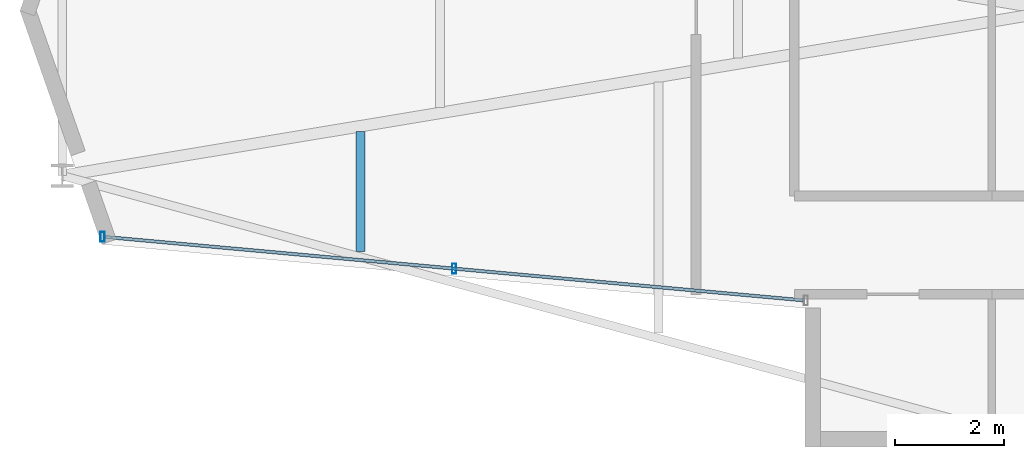
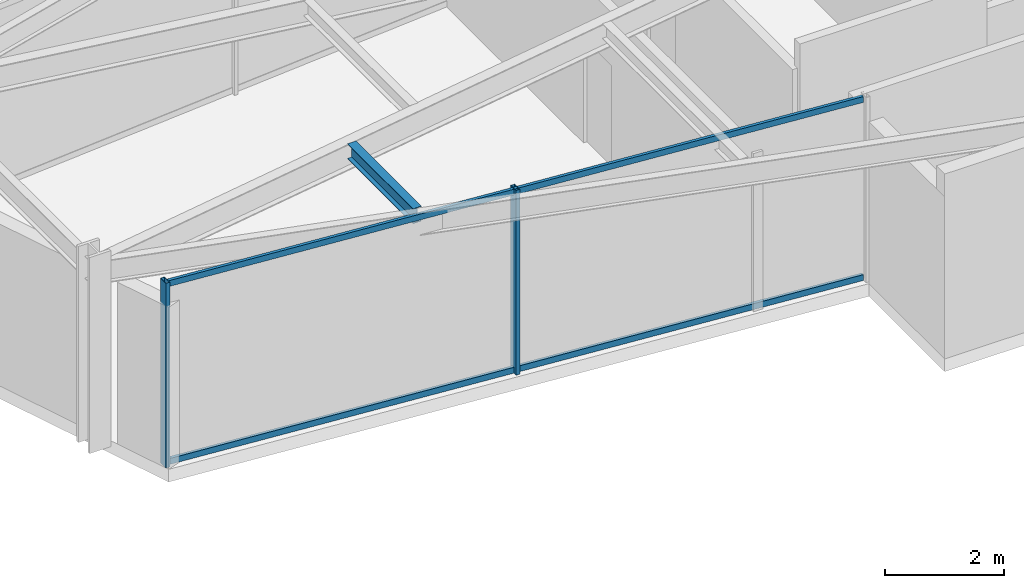
# One storey, part 2 of 23: 4 members, 1 beam, 1 element without a shape of its own.
"""IFC4 building model written with IfcOpenShell, lengths in metres."""

from ifc_helpers import new_model, si_unit, direction, frame, origin, origin_2d, place, context, subcontext, project, spatial, hollow_rectangle, i_section, extrude, material, layer, layer_set, material_profile, profile_set, type_object, element, aggregate, save


model = new_model("IFC4")

# Units and contexts
model_context = context("Model", 3, precision=1e-05, world=origin(), true_north=direction((0.0, 1.0)))
body_context = subcontext(model_context, "Body", "Model", "MODEL_VIEW")
ifc_project = project(units=[si_unit("LENGTHUNIT", "METRE"), si_unit("AREAUNIT", "SQUARE_METRE"), si_unit("VOLUMEUNIT", "CUBIC_METRE"), si_unit("PLANEANGLEUNIT", "RADIAN"), si_unit("MASSUNIT", "GRAM", prefix="KILO")], contexts=[model_context])

# Site, building, storey
site_placement = place(None, origin())
site = spatial("IfcSite", under=ifc_project, at=site_placement, CompositionType="ELEMENT")
building_placement = place(site_placement, origin())
building = spatial("IfcBuilding", under=site, at=building_placement, Name="Veymaron Broadcast Tower", CompositionType="ELEMENT")
storey_placement = place(building_placement, frame((0.0, 0.0, 191.85009765625)))
storey = spatial("IfcBuildingStorey", under=building, at=storey_placement, Name="L44", CompositionType="ELEMENT", Elevation=191.85009765625)

# Beam
ifc_material_1 = material(Name="Structural steel ASTM A992 Gr 50", Category="steel")
ifc_material_profile_1 = material_profile(ifc_material_1, i_section(OverallWidth=0.1650390625, OverallDepth=0.31005859375, WebThickness=0.005859375, FlangeThickness=0.009765625, at=origin_2d()), Name="W310X39")
ifc_profile_set_1 = profile_set([ifc_material_profile_1], Name="Structural steel ASTM A992 Gr 50")
beam_type = type_object("IfcBeamType", Name="BM-JS3", PredefinedType="JOIST", material=ifc_profile_set_1)
beam_placement = place(storey_placement, frame((18.4423828125, 19.58251953125, 3.635009765625), z_axis=(0.0, 1.0, 0.0), x_axis=(-1.0, 0.0, 0.0)))
element("IfcBeam", 1, at=beam_placement, inside=storey, type_object=beam_type, Name="L44 Arm-A secondary joist 1S", PredefinedType="JOIST", context=body_context, shape_type="SweptSolid", body=[
    extrude(i_section(OverallWidth=0.1650390625, OverallDepth=0.31005859375, WebThickness=0.005859375, FlangeThickness=0.009765625, at=origin_2d()), origin(), (0.0, 0.0, 1.0), 2.199951171875),
])

# Curtain wall, members
ifc_material_2 = material(Name="Anodised aluminium AA 6063-T6 and laminated low-E dark glass", Category="aluminium")
ifc_layer = layer(ifc_material_2, 0.179931640625)
ifc_layer_set = layer_set([ifc_layer], Name="Anodised aluminium AA 6063-T6 and laminated low-E dark glass")
curtain_wall_type = type_object("IfcCurtainWallType", Name="CW-SYS-05", PredefinedType="NOTDEFINED", material=ifc_layer_set)
curtain_wall_placement = place(storey_placement, origin())
curtain_wall = element("IfcCurtainWall", 2, at=curtain_wall_placement, inside=storey, type_object=curtain_wall_type, Name="L44 dark-glass curtain wall CW-L44-E14-1", PredefinedType="NOTDEFINED")
ifc_material_3 = material(Name="Anodised aluminium AA 6063-T6", Category="aluminium")
ifc_material_profile_2 = material_profile(ifc_material_3, hollow_rectangle(XDim=0.074951171875, YDim=0.179931640625, WallThickness=0.0048828125, at=origin_2d()), Name="AL180X75X5")
ifc_profile_set_2 = profile_set([ifc_material_profile_2], Name="Anodised aluminium AA 6063-T6")
member_type_1 = type_object("IfcMemberType", Name="CW-MUL-02", PredefinedType="MULLION", material=ifc_profile_set_2)
member_1_placement = place(storey_placement, frame((13.712646484375, 19.85595703125, 0.0), z_axis=(0.0, 0.0, 1.0), x_axis=(1.0, 0.0, 0.0)))
member_1 = element("IfcMember", 3, at=member_1_placement, type_object=member_type_1, Name="CW-L44-E14-1 mullion 0", PredefinedType="MULLION", context=body_context, shape_type="SweptSolid", body=[
    extrude(hollow_rectangle(XDim=0.074951171875, YDim=0.179931640625, WallThickness=0.0048828125, at=origin_2d()), origin(), (0.0, 0.0, 1.0), 3.789794921875),
])
member_2_placement = place(storey_placement, frame((20.16259765625, 19.270263671875, 0.0), z_axis=(0.0, 0.0, 1.0), x_axis=(1.0, 0.0, 0.0)))
member_2 = element("IfcMember", 4, at=member_2_placement, type_object=member_type_1, Name="CW-L44-E14-1 mullion 1", PredefinedType="MULLION", context=body_context, shape_type="SweptSolid", body=[
    extrude(hollow_rectangle(XDim=0.074951171875, YDim=0.179931640625, WallThickness=0.0048828125, at=origin_2d()), origin(), (0.0, 0.0, 1.0), 3.789794921875),
])
ifc_material_profile_3 = material_profile(ifc_material_3, hollow_rectangle(XDim=0.06005859375, YDim=0.1201171875, WallThickness=0.00390625, at=origin_2d()), Name="AL120X60X4")
ifc_profile_set_3 = profile_set([ifc_material_profile_3], Name="Anodised aluminium AA 6063-T6")
member_type_2 = type_object("IfcMemberType", Name="CW-TRN-02", PredefinedType="USERDEFINED", material=ifc_profile_set_3)
member_3_placement = place(storey_placement, frame((13.762451171875, 19.851318359375, 0.06982421875), z_axis=(0.995904253261, -0.090414148987, 0.0), x_axis=(0.090414148987, 0.995904253261, 0.0)))
member_3 = element("IfcMember", 5, at=member_3_placement, type_object=member_type_2, Name="CW-L44-E14-1 transom B", ObjectType="TRANSOM", PredefinedType="USERDEFINED", context=body_context, shape_type="SweptSolid", body=[
    extrude(hollow_rectangle(XDim=0.06005859375, YDim=0.1201171875, WallThickness=0.00390625, at=origin_2d()), origin(), (0.0, 0.0, 1.0), 12.853271484375),
])
member_4_placement = place(storey_placement, frame((13.762451171875, 19.851318359375, 3.719970703125), z_axis=(0.995904253261, -0.090414148987, 0.0), x_axis=(0.090414148987, 0.995904253261, 0.0)))
member_4 = element("IfcMember", 6, at=member_4_placement, type_object=member_type_2, Name="CW-L44-E14-1 transom T", ObjectType="TRANSOM", PredefinedType="USERDEFINED", context=body_context, shape_type="SweptSolid", body=[
    extrude(hollow_rectangle(XDim=0.06005859375, YDim=0.1201171875, WallThickness=0.00390625, at=origin_2d()), origin(), (0.0, 0.0, 1.0), 12.853271484375),
])
aggregate(curtain_wall, [member_1, member_2, member_3, member_4])

save(model, "model.ifc")
